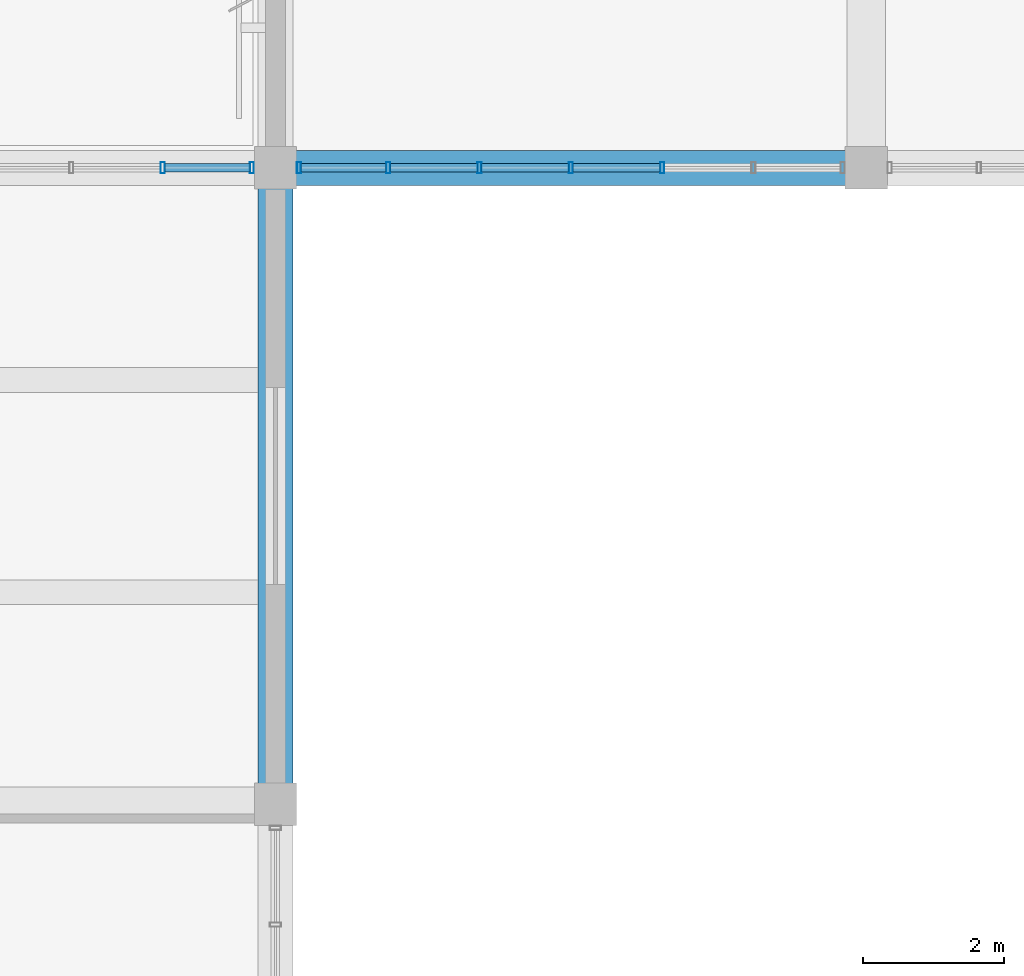
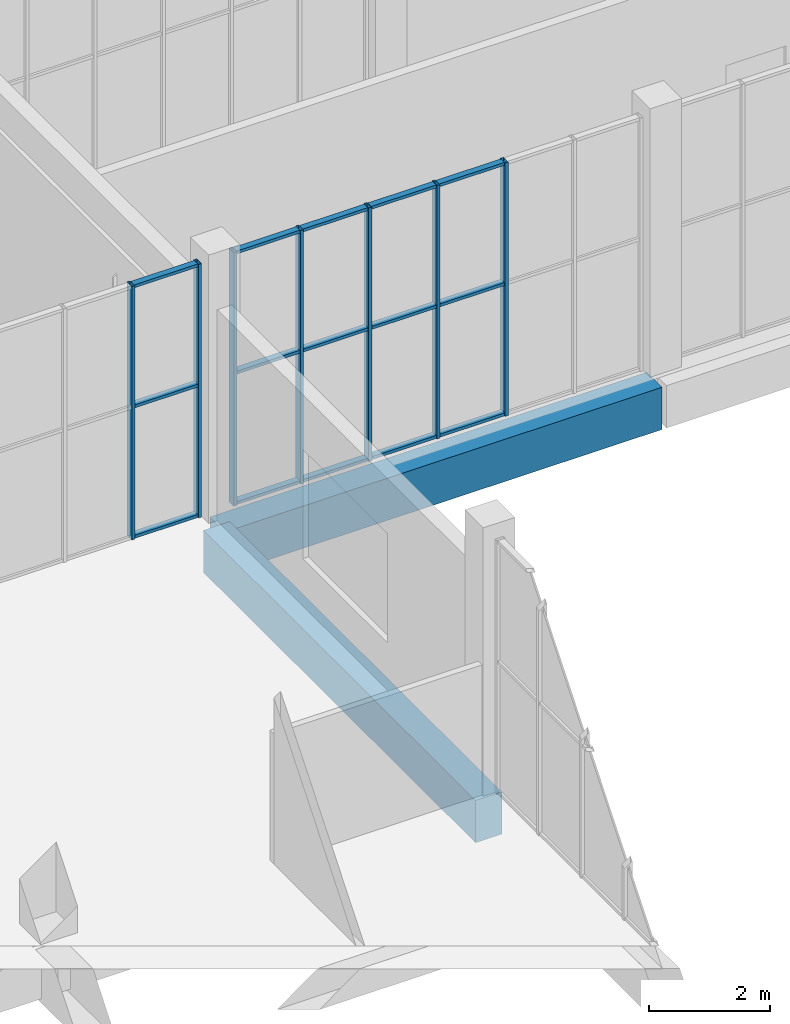
# One storey, part 56 of 132: 22 members, 2 beams, 2 elements without a shape of their own.
"""IFC4 building model written with IfcOpenShell, lengths in metres."""

from ifc_helpers import new_model, si_unit, direction, frame, origin, origin_2d, place, context, subcontext, project, spatial, rectangle, hollow_rectangle, extrude, material, material_profile, profile_set, type_object, element, aggregate, save


model = new_model("IFC4")

# Units and contexts
model_context = context("Model", 3, precision=1e-05, world=origin(), true_north=direction((0.0, 1.0)))
body_context = subcontext(model_context, "Body", "Model", "MODEL_VIEW")
ifc_project = project(units=[si_unit("LENGTHUNIT", "METRE"), si_unit("AREAUNIT", "SQUARE_METRE"), si_unit("VOLUMEUNIT", "CUBIC_METRE"), si_unit("PLANEANGLEUNIT", "RADIAN"), si_unit("MASSUNIT", "GRAM", prefix="KILO")], contexts=[model_context])

# Site, building, storey
site_placement = place(None, origin())
site = spatial("IfcSite", under=ifc_project, at=site_placement, CompositionType="ELEMENT")
building_placement = place(site_placement, origin())
building = spatial("IfcBuilding", under=site, at=building_placement, Name="Khurvash Pelagic Aquarium", CompositionType="ELEMENT")
storey_placement = place(building_placement, frame((0.0, 0.0, 5.39990234375)))
storey = spatial("IfcBuildingStorey", under=building, at=storey_placement, Name="L01", CompositionType="ELEMENT", Elevation=5.39990234375)

# Curtain wall, members
ifc_material_1 = material(Name="Anodised aluminium and low-E laminated glass", Category="aluminium")
curtain_wall_type = type_object("IfcCurtainWallType", Name="CW-05", PredefinedType="USERDEFINED", material=ifc_material_1)
curtain_wall_1_placement = place(storey_placement, origin())
curtain_wall_1 = element("IfcCurtainWall", 1, at=curtain_wall_1_placement, inside=storey, type_object=curtain_wall_type, Name="L01 Facade Unitised Curtain Wall CW-05 0121", ObjectType="UNITISED CURTAIN WALL", PredefinedType="USERDEFINED")
ifc_material_2 = material(Name="Extruded aluminium AW-6063-T6", Category="aluminium")
ifc_material_profile_1 = material_profile(ifc_material_2, hollow_rectangle(XDim=0.06005859375, YDim=0.159912109375, WallThickness=0.00390625, at=origin_2d()), Name="CWM60X160X4")
ifc_profile_set_1 = profile_set([ifc_material_profile_1], Name="Extruded aluminium AW-6063-T6")
member_type_1 = type_object("IfcMemberType", Name="CM-02", PredefinedType="MULLION", material=ifc_profile_set_1)
member_1_placement = place(storey_placement, frame((33.264892578125, 93.10009765625, 0.0), z_axis=(0.0, 0.0, 1.0), x_axis=(-1.0, 0.0, 0.0)))
member_1 = element("IfcMember", 2, at=member_1_placement, type_object=member_type_1, Name="CW-05 mullion 1", PredefinedType="MULLION", context=body_context, shape_type="SweptSolid", body=[
    extrude(hollow_rectangle(XDim=0.06005859375, YDim=0.159912109375, WallThickness=0.00390625, at=origin_2d()), origin(), (0.0, 0.0, 1.0), 5.10009765625),
])
member_2_placement = place(storey_placement, frame((31.99658203125, 93.10009765625, 0.0), z_axis=(0.0, 0.0, 1.0), x_axis=(-1.0, 0.0, 0.0)))
member_2 = element("IfcMember", 3, at=member_2_placement, type_object=member_type_1, Name="CW-05 mullion 2", PredefinedType="MULLION", context=body_context, shape_type="SweptSolid", body=[
    extrude(hollow_rectangle(XDim=0.06005859375, YDim=0.159912109375, WallThickness=0.00390625, at=origin_2d()), origin(), (0.0, 0.0, 1.0), 5.10009765625),
])

curtain_wall_2_placement = place(storey_placement, origin())
curtain_wall_2 = element("IfcCurtainWall", 4, at=curtain_wall_2_placement, inside=storey, type_object=curtain_wall_type, Name="L01 Facade Unitised Curtain Wall CW-05 0134", ObjectType="UNITISED CURTAIN WALL", PredefinedType="USERDEFINED")
member_3_placement = place(storey_placement, frame((33.93505859375, 93.10009765625, 0.0), z_axis=(0.0, 0.0, 1.0), x_axis=(1.0, 0.0, 0.0)))
member_3 = element("IfcMember", 5, at=member_3_placement, type_object=member_type_1, Name="CW-05 mullion 1", PredefinedType="MULLION", context=body_context, shape_type="SweptSolid", body=[
    extrude(hollow_rectangle(XDim=0.06005859375, YDim=0.159912109375, WallThickness=0.00390625, at=origin_2d()), origin(), (0.0, 0.0, 1.0), 5.10009765625),
])
member_4_placement = place(storey_placement, frame((35.203369140625, 93.10009765625, 0.0), z_axis=(0.0, 0.0, 1.0), x_axis=(1.0, 0.0, 0.0)))
member_4 = element("IfcMember", 6, at=member_4_placement, type_object=member_type_1, Name="CW-05 mullion 2", PredefinedType="MULLION", context=body_context, shape_type="SweptSolid", body=[
    extrude(hollow_rectangle(XDim=0.06005859375, YDim=0.159912109375, WallThickness=0.00390625, at=origin_2d()), origin(), (0.0, 0.0, 1.0), 5.10009765625),
])
member_5_placement = place(storey_placement, frame((36.501708984375, 93.10009765625, 0.0), z_axis=(0.0, 0.0, 1.0), x_axis=(1.0, 0.0, 0.0)))
member_5 = element("IfcMember", 7, at=member_5_placement, type_object=member_type_1, Name="CW-05 mullion 3", PredefinedType="MULLION", context=body_context, shape_type="SweptSolid", body=[
    extrude(hollow_rectangle(XDim=0.06005859375, YDim=0.159912109375, WallThickness=0.00390625, at=origin_2d()), origin(), (0.0, 0.0, 1.0), 5.10009765625),
])
member_6_placement = place(storey_placement, frame((37.800048828125, 93.10009765625, 0.0), z_axis=(0.0, 0.0, 1.0), x_axis=(1.0, 0.0, 0.0)))
member_6 = element("IfcMember", 8, at=member_6_placement, type_object=member_type_1, Name="CW-05 mullion 4", PredefinedType="MULLION", context=body_context, shape_type="SweptSolid", body=[
    extrude(hollow_rectangle(XDim=0.06005859375, YDim=0.159912109375, WallThickness=0.00390625, at=origin_2d()), origin(), (0.0, 0.0, 1.0), 5.10009765625),
])
member_7_placement = place(storey_placement, frame((39.098388671875, 93.10009765625, 0.0), z_axis=(0.0, 0.0, 1.0), x_axis=(1.0, 0.0, 0.0)))
member_7 = element("IfcMember", 9, at=member_7_placement, type_object=member_type_1, Name="CW-05 mullion 5", PredefinedType="MULLION", context=body_context, shape_type="SweptSolid", body=[
    extrude(hollow_rectangle(XDim=0.06005859375, YDim=0.159912109375, WallThickness=0.00390625, at=origin_2d()), origin(), (0.0, 0.0, 1.0), 5.10009765625),
])

# Member
ifc_material_profile_2 = material_profile(ifc_material_2, hollow_rectangle(XDim=0.1201171875, YDim=0.06005859375, WallThickness=0.00390625, at=origin_2d()), Name="CWT120X60X4")
ifc_profile_set_2 = profile_set([ifc_material_profile_2], Name="Extruded aluminium AW-6063-T6")
member_type_2 = type_object("IfcMemberType", Name="CT-02", PredefinedType="USERDEFINED", material=ifc_profile_set_2)
member_8_placement = place(storey_placement, frame((33.235107421875, 93.10009765625, 0.030029296875), z_axis=(-1.0, 0.0, 0.0), x_axis=(0.0, -1.0, 0.0)))
member_8 = element("IfcMember", 10, at=member_8_placement, type_object=member_type_2, Name="CW-05 transom 1.1", ObjectType="TRANSOM", PredefinedType="USERDEFINED", context=body_context, shape_type="SweptSolid", body=[
    extrude(hollow_rectangle(XDim=0.1201171875, YDim=0.06005859375, WallThickness=0.00390625, at=origin_2d()), origin(), (0.0, 0.0, 1.0), 1.20849609375),
])

member_9_placement = place(storey_placement, frame((33.235107421875, 93.10009765625, 2.652099609375), z_axis=(-1.0, 0.0, 0.0), x_axis=(0.0, -1.0, 0.0)))
member_9 = element("IfcMember", 11, at=member_9_placement, type_object=member_type_2, Name="CW-05 transom 1.2", ObjectType="TRANSOM", PredefinedType="USERDEFINED", context=body_context, shape_type="SweptSolid", body=[
    extrude(hollow_rectangle(XDim=0.1201171875, YDim=0.06005859375, WallThickness=0.00390625, at=origin_2d()), origin(), (0.0, 0.0, 1.0), 1.20849609375),
])

member_10_placement = place(storey_placement, frame((33.235107421875, 93.10009765625, 5.070068359375), z_axis=(-1.0, 0.0, 0.0), x_axis=(0.0, -1.0, 0.0)))
member_10 = element("IfcMember", 12, at=member_10_placement, type_object=member_type_2, Name="CW-05 transom 1.3", ObjectType="TRANSOM", PredefinedType="USERDEFINED", context=body_context, shape_type="SweptSolid", body=[
    extrude(hollow_rectangle(XDim=0.1201171875, YDim=0.06005859375, WallThickness=0.00390625, at=origin_2d()), origin(), (0.0, 0.0, 1.0), 1.20849609375),
])

aggregate(curtain_wall_1, [member_1, member_2, member_8, member_9, member_10])

member_11_placement = place(storey_placement, frame((33.965087890625, 93.10009765625, 0.030029296875), z_axis=(1.0, 0.0, 0.0), x_axis=(0.0, 1.0, 0.0)))
member_11 = element("IfcMember", 13, at=member_11_placement, type_object=member_type_2, Name="CW-05 transom 1.1", ObjectType="TRANSOM", PredefinedType="USERDEFINED", context=body_context, shape_type="SweptSolid", body=[
    extrude(hollow_rectangle(XDim=0.1201171875, YDim=0.06005859375, WallThickness=0.00390625, at=origin_2d()), origin(), (0.0, 0.0, 1.0), 1.208251953125),
])

member_12_placement = place(storey_placement, frame((33.965087890625, 93.10009765625, 2.652099609375), z_axis=(1.0, 0.0, 0.0), x_axis=(0.0, 1.0, 0.0)))
member_12 = element("IfcMember", 14, at=member_12_placement, type_object=member_type_2, Name="CW-05 transom 1.2", ObjectType="TRANSOM", PredefinedType="USERDEFINED", context=body_context, shape_type="SweptSolid", body=[
    extrude(hollow_rectangle(XDim=0.1201171875, YDim=0.06005859375, WallThickness=0.00390625, at=origin_2d()), origin(), (0.0, 0.0, 1.0), 1.208251953125),
])

member_13_placement = place(storey_placement, frame((33.965087890625, 93.10009765625, 5.070068359375), z_axis=(1.0, 0.0, 0.0), x_axis=(0.0, 1.0, 0.0)))
member_13 = element("IfcMember", 15, at=member_13_placement, type_object=member_type_2, Name="CW-05 transom 1.3", ObjectType="TRANSOM", PredefinedType="USERDEFINED", context=body_context, shape_type="SweptSolid", body=[
    extrude(hollow_rectangle(XDim=0.1201171875, YDim=0.06005859375, WallThickness=0.00390625, at=origin_2d()), origin(), (0.0, 0.0, 1.0), 1.208251953125),
])

member_14_placement = place(storey_placement, frame((35.2333984375, 93.10009765625, 0.030029296875), z_axis=(1.0, 0.0, 0.0), x_axis=(0.0, 1.0, 0.0)))
member_14 = element("IfcMember", 16, at=member_14_placement, type_object=member_type_2, Name="CW-05 transom 2.1", ObjectType="TRANSOM", PredefinedType="USERDEFINED", context=body_context, shape_type="SweptSolid", body=[
    extrude(hollow_rectangle(XDim=0.1201171875, YDim=0.06005859375, WallThickness=0.00390625, at=origin_2d()), origin(), (0.0, 0.0, 1.0), 1.23828125),
])

member_15_placement = place(storey_placement, frame((35.2333984375, 93.10009765625, 2.652099609375), z_axis=(1.0, 0.0, 0.0), x_axis=(0.0, 1.0, 0.0)))
member_15 = element("IfcMember", 17, at=member_15_placement, type_object=member_type_2, Name="CW-05 transom 2.2", ObjectType="TRANSOM", PredefinedType="USERDEFINED", context=body_context, shape_type="SweptSolid", body=[
    extrude(hollow_rectangle(XDim=0.1201171875, YDim=0.06005859375, WallThickness=0.00390625, at=origin_2d()), origin(), (0.0, 0.0, 1.0), 1.23828125),
])

member_16_placement = place(storey_placement, frame((35.2333984375, 93.10009765625, 5.070068359375), z_axis=(1.0, 0.0, 0.0), x_axis=(0.0, 1.0, 0.0)))
member_16 = element("IfcMember", 18, at=member_16_placement, type_object=member_type_2, Name="CW-05 transom 2.3", ObjectType="TRANSOM", PredefinedType="USERDEFINED", context=body_context, shape_type="SweptSolid", body=[
    extrude(hollow_rectangle(XDim=0.1201171875, YDim=0.06005859375, WallThickness=0.00390625, at=origin_2d()), origin(), (0.0, 0.0, 1.0), 1.23828125),
])

member_17_placement = place(storey_placement, frame((36.53173828125, 93.10009765625, 0.030029296875), z_axis=(1.0, 0.0, 0.0), x_axis=(0.0, 1.0, 0.0)))
member_17 = element("IfcMember", 19, at=member_17_placement, type_object=member_type_2, Name="CW-05 transom 3.1", ObjectType="TRANSOM", PredefinedType="USERDEFINED", context=body_context, shape_type="SweptSolid", body=[
    extrude(hollow_rectangle(XDim=0.1201171875, YDim=0.06005859375, WallThickness=0.00390625, at=origin_2d()), origin(), (0.0, 0.0, 1.0), 1.23828125),
])

member_18_placement = place(storey_placement, frame((36.53173828125, 93.10009765625, 2.652099609375), z_axis=(1.0, 0.0, 0.0), x_axis=(0.0, 1.0, 0.0)))
member_18 = element("IfcMember", 20, at=member_18_placement, type_object=member_type_2, Name="CW-05 transom 3.2", ObjectType="TRANSOM", PredefinedType="USERDEFINED", context=body_context, shape_type="SweptSolid", body=[
    extrude(hollow_rectangle(XDim=0.1201171875, YDim=0.06005859375, WallThickness=0.00390625, at=origin_2d()), origin(), (0.0, 0.0, 1.0), 1.23828125),
])

member_19_placement = place(storey_placement, frame((36.53173828125, 93.10009765625, 5.070068359375), z_axis=(1.0, 0.0, 0.0), x_axis=(0.0, 1.0, 0.0)))
member_19 = element("IfcMember", 21, at=member_19_placement, type_object=member_type_2, Name="CW-05 transom 3.3", ObjectType="TRANSOM", PredefinedType="USERDEFINED", context=body_context, shape_type="SweptSolid", body=[
    extrude(hollow_rectangle(XDim=0.1201171875, YDim=0.06005859375, WallThickness=0.00390625, at=origin_2d()), origin(), (0.0, 0.0, 1.0), 1.23828125),
])

member_20_placement = place(storey_placement, frame((37.830078125, 93.10009765625, 0.030029296875), z_axis=(1.0, 0.0, 0.0), x_axis=(0.0, 1.0, 0.0)))
member_20 = element("IfcMember", 22, at=member_20_placement, type_object=member_type_2, Name="CW-05 transom 4.1", ObjectType="TRANSOM", PredefinedType="USERDEFINED", context=body_context, shape_type="SweptSolid", body=[
    extrude(hollow_rectangle(XDim=0.1201171875, YDim=0.06005859375, WallThickness=0.00390625, at=origin_2d()), origin(), (0.0, 0.0, 1.0), 1.23828125),
])

member_21_placement = place(storey_placement, frame((37.830078125, 93.10009765625, 2.652099609375), z_axis=(1.0, 0.0, 0.0), x_axis=(0.0, 1.0, 0.0)))
member_21 = element("IfcMember", 23, at=member_21_placement, type_object=member_type_2, Name="CW-05 transom 4.2", ObjectType="TRANSOM", PredefinedType="USERDEFINED", context=body_context, shape_type="SweptSolid", body=[
    extrude(hollow_rectangle(XDim=0.1201171875, YDim=0.06005859375, WallThickness=0.00390625, at=origin_2d()), origin(), (0.0, 0.0, 1.0), 1.23828125),
])

member_22_placement = place(storey_placement, frame((37.830078125, 93.10009765625, 5.070068359375), z_axis=(1.0, 0.0, 0.0), x_axis=(0.0, 1.0, 0.0)))
member_22 = element("IfcMember", 24, at=member_22_placement, type_object=member_type_2, Name="CW-05 transom 4.3", ObjectType="TRANSOM", PredefinedType="USERDEFINED", context=body_context, shape_type="SweptSolid", body=[
    extrude(hollow_rectangle(XDim=0.1201171875, YDim=0.06005859375, WallThickness=0.00390625, at=origin_2d()), origin(), (0.0, 0.0, 1.0), 1.23828125),
])

aggregate(curtain_wall_2, [member_3, member_4, member_5, member_6, member_7, member_11, member_12, member_13, member_14, member_15, member_16, member_17, member_18, member_19, member_20, member_21, member_22])

# Beams
ifc_material_3 = material(Name="Concrete C40/50", Category="concrete")
ifc_material_profile_3 = material_profile(ifc_material_3, rectangle(XDim=0.5, YDim=0.85009765625, at=origin_2d()), Name="RC500X850")
ifc_profile_set_3 = profile_set([ifc_material_profile_3], Name="Concrete C40/50")
beam_type = type_object("IfcBeamType", Name="SEB-03", PredefinedType="SPANDREL", material=ifc_profile_set_3)
beam_1_placement = place(storey_placement, frame((33.639892578125, 93.10009765625, -0.744873046875), z_axis=(1.0, 0.0, 0.0), x_axis=(0.0, 1.0, 0.0)))
element("IfcBeam", 25, at=beam_1_placement, inside=storey, type_object=beam_type, Name="L01 Primary Girder SEB-03 00327", PredefinedType="SPANDREL", context=body_context, shape_type="SweptSolid", body=[
    extrude(rectangle(XDim=0.5, YDim=0.85009765625, at=origin_2d()), origin(), (0.0, 0.0, 1.0), 8.320068359375),
])
beam_2_placement = place(storey_placement, frame((33.60009765625, 84.090087890625, -0.73486328125), z_axis=(0.0, 1.0, 0.0), x_axis=(-1.0, 0.0, 0.0)))
element("IfcBeam", 26, at=beam_2_placement, inside=storey, type_object=beam_type, Name="L01 Primary Girder SEB-03 00378", PredefinedType="SPANDREL", context=body_context, shape_type="SweptSolid", body=[
    extrude(rectangle(XDim=0.5, YDim=0.85009765625, at=origin_2d()), origin(), (0.0, 0.0, 1.0), 8.969970703125),
])

save(model, "model.ifc")
